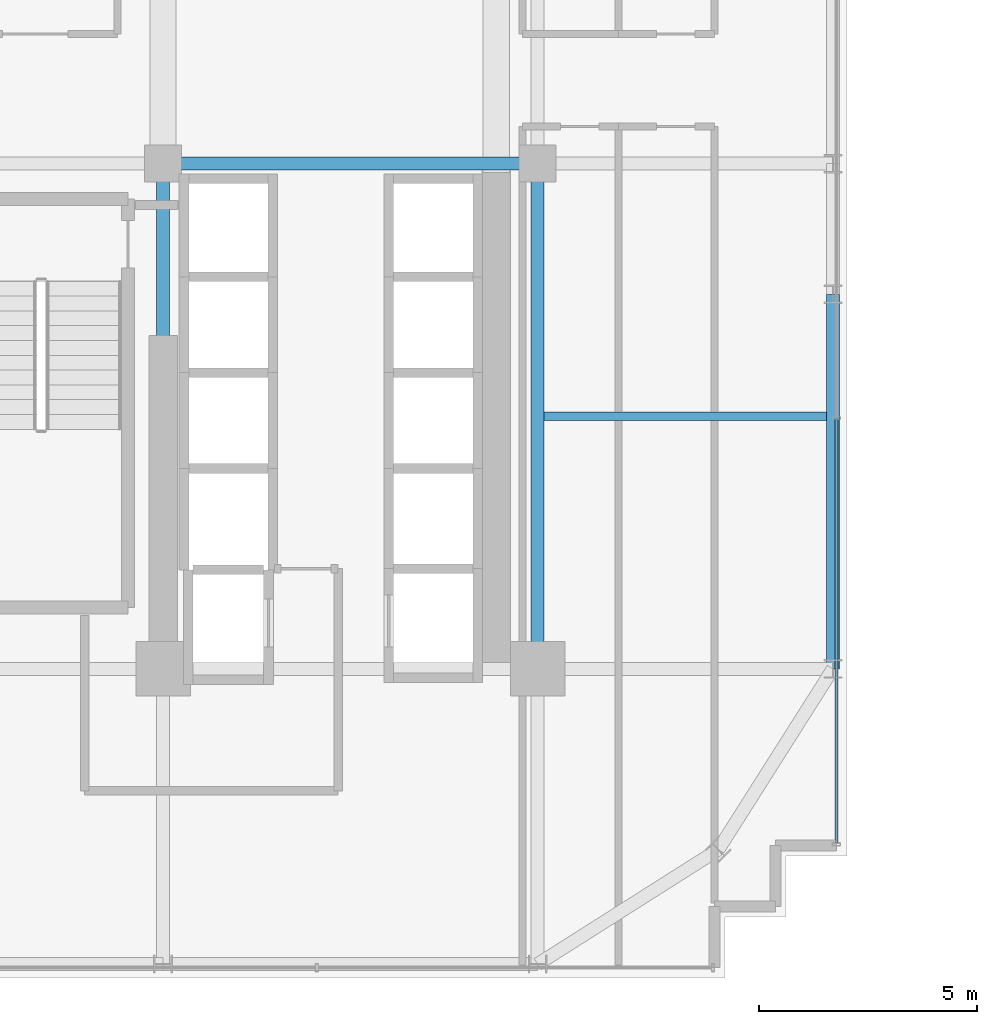
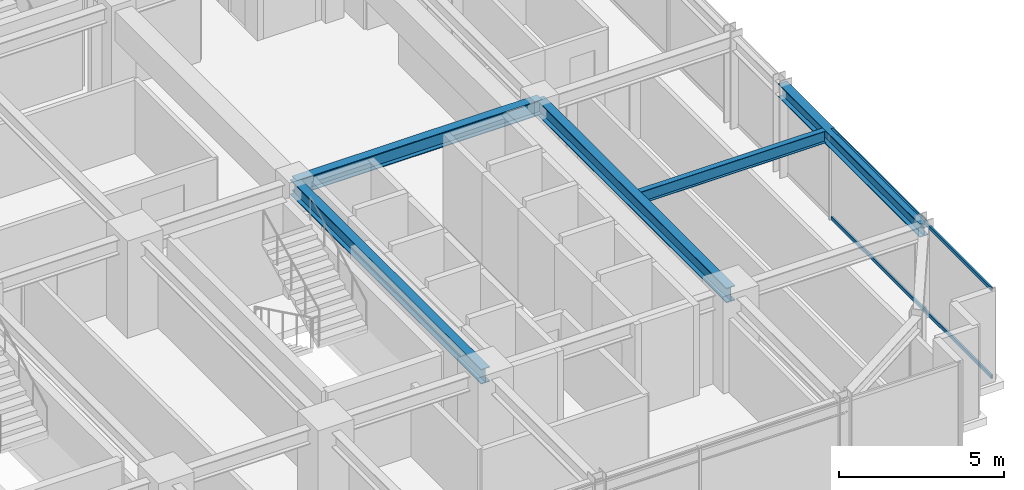
# One storey, part 13 of 33: 5 beams, 2 members, 1 element without a shape of its own.
"""IFC4 building model written with IfcOpenShell, lengths in metres."""

from ifc_helpers import new_model, si_unit, direction, frame, origin, origin_2d, place, context, subcontext, project, spatial, hollow_rectangle, i_section, extrude, source, transform, mapped, material, material_profile, profile_set, type_object, element, aggregate, save


model = new_model("IFC4")

# Units and contexts
model_context = context("Model", 3, precision=1e-05, world=origin(), true_north=direction((0.0, 1.0)))
body_context = subcontext(model_context, "Body", "Model", "MODEL_VIEW")
ifc_project = project(units=[si_unit("LENGTHUNIT", "METRE"), si_unit("AREAUNIT", "SQUARE_METRE"), si_unit("VOLUMEUNIT", "CUBIC_METRE"), si_unit("PLANEANGLEUNIT", "RADIAN"), si_unit("MASSUNIT", "GRAM", prefix="KILO")], contexts=[model_context])

# Site, building, storey
site_placement = place(None, origin())
site = spatial("IfcSite", under=ifc_project, at=site_placement, CompositionType="ELEMENT")
building_placement = place(site_placement, origin())
building = spatial("IfcBuilding", under=site, at=building_placement, Name="Nahalor Promenade Grand Hotel", CompositionType="ELEMENT")
storey_placement = place(building_placement, frame((0.0, 0.0, 117.5)))
storey = spatial("IfcBuildingStorey", under=building, at=storey_placement, Name="L29", CompositionType="ELEMENT", Elevation=117.5)

# Beams
ifc_material_1 = material(Name="Steel S355JR", Category="steel")
ifc_material_profile_1 = material_profile(ifc_material_1, i_section(OverallWidth=0.3, OverallDepth=0.5, WebThickness=0.0145, FlangeThickness=0.028, at=origin_2d()), Name="HEB 500")
ifc_profile_set_1 = profile_set([ifc_material_profile_1], Name="Steel S355JR")
beam_type_1 = type_object("IfcBeamType", Name="Beam-Spandrel-HEB500", PredefinedType="SPANDREL", material=ifc_profile_set_1)
shared_shape_1 = source(origin(), body_context, "Body", "SweptSolid", [
    extrude(i_section(OverallWidth=0.3, OverallDepth=0.5, WebThickness=0.0145, FlangeThickness=0.028, at=origin_2d()), origin(), (0.0, 0.0, 1.0), 8.60009765625),
])
beam_1_placement = place(storey_placement, frame((23.780029296875, -17.0, 3.1298828125), z_axis=(0.0, 1.0, 0.0), x_axis=(-1.0, 0.0, 0.0)))
element("IfcBeam", 1, at=beam_1_placement, inside=storey, type_object=beam_type_1, Name="BM-L29-SP-E-0", PredefinedType="SPANDREL", context=body_context, shape_type="MappedRepresentation", body=[
    mapped(shared_shape_1, transform((0.0, 0.0, 0.0), scale=1.0)),
])
ifc_material_profile_2 = material_profile(ifc_material_1, i_section(OverallWidth=0.3, OverallDepth=0.55, WebThickness=0.015, FlangeThickness=0.029, at=origin_2d()), Name="HEB 550")
ifc_profile_set_2 = profile_set([ifc_material_profile_2], Name="Steel S355JR")
beam_type_2 = type_object("IfcBeamType", Name="Beam-Girder-HEB550", PredefinedType="BEAM", material=ifc_profile_set_2)
shared_shape_2 = source(origin(), body_context, "Body", "SweptSolid", [
    extrude(i_section(OverallWidth=0.3, OverallDepth=0.55, WebThickness=0.015, FlangeThickness=0.029, at=origin_2d()), origin(), (0.0, 0.0, 1.0), 8.60009765625),
])
beam_2_placement = place(storey_placement, frame((8.39990234375, -5.39990234375, 3.10498046875), z_axis=(1.0, 0.0, 0.0), x_axis=(0.0, 1.0, 0.0)))
element("IfcBeam", 2, at=beam_2_placement, inside=storey, type_object=beam_type_2, Name="BM-L29-GX-1-5", PredefinedType="BEAM", context=body_context, shape_type="MappedRepresentation", body=[
    mapped(shared_shape_2, transform((0.0, 0.0, 0.0), scale=1.0)),
])
shared_shape_3 = source(origin(), body_context, "Body", "SweptSolid", [
    extrude(i_section(OverallWidth=0.3, OverallDepth=0.55, WebThickness=0.015, FlangeThickness=0.029, at=origin_2d()), origin(), (0.0, 0.0, 1.0), 11.60009765625),
])
for number, where, z_axis, x_axis, name in (
    (3, (8.39990234375, -17.0, 3.10498046875), (0.0, 1.0, 0.0), (-1.0, 0.0, 0.0), "BM-L29-GY-4-1"),
    (4, (17.0, -17.0, 3.10498046875), (0.0, 1.0, 0.0), (-1.0, 0.0, 0.0), "BM-L29-GY-5-1"),
):
    element("IfcBeam", number, at=place(storey_placement, frame(where, z_axis=z_axis, x_axis=x_axis)), inside=storey, type_object=beam_type_2, Name=name, PredefinedType="BEAM", context=body_context, shape_type="MappedRepresentation", body=[
        mapped(shared_shape_3, transform((0.0, 0.0, 0.0), scale=1.0)),
    ])
ifc_material_profile_3 = material_profile(ifc_material_1, i_section(OverallWidth=0.19, OverallDepth=0.45, WebThickness=0.0094, FlangeThickness=0.0146, at=origin_2d()), Name="IPE 450")
ifc_profile_set_3 = profile_set([ifc_material_profile_3], Name="Steel S355JR")
beam_type_3 = type_object("IfcBeamType", Name="Beam-Joist-IPE450", PredefinedType="JOIST", material=ifc_profile_set_3)
shared_shape_4 = source(origin(), body_context, "Body", "SweptSolid", [
    extrude(i_section(OverallWidth=0.19, OverallDepth=0.45, WebThickness=0.0094, FlangeThickness=0.0146, at=origin_2d()), origin(), (0.0, 0.0, 1.0), 6.47998046875),
])
beam_3_placement = place(storey_placement, frame((17.14990234375, -11.199951171875, 3.155029296875), z_axis=(1.0, 0.0, 0.0), x_axis=(0.0, 1.0, 0.0)))
element("IfcBeam", 5, at=beam_3_placement, inside=storey, type_object=beam_type_3, Name="BM-L29-JSE-0-2", PredefinedType="JOIST", context=body_context, shape_type="MappedRepresentation", body=[
    mapped(shared_shape_4, transform((0.0, 0.0, 0.0), scale=1.0)),
])

# Curtain wall, members
ifc_material_2 = material(Name="Anodised Bronze Aluminium EN AW-6063 T6", Category="aluminium")
curtain_wall_type = type_object("IfcCurtainWallType", Name="CW2 Typical Hotel Flush Bronze Unitised Curtain Wall", PredefinedType="USERDEFINED", material=ifc_material_2)
curtain_wall_placement = place(storey_placement, origin())
curtain_wall = element("IfcCurtainWall", 6, at=curtain_wall_placement, inside=storey, type_object=curtain_wall_type, Name="L29 Curtain Wall CW-L29-E-1", ObjectType="UNITISED_CURTAIN_WALL", PredefinedType="USERDEFINED")
ifc_material_profile_4 = material_profile(ifc_material_2, hollow_rectangle(XDim=0.065, YDim=0.13, WallThickness=0.004, at=origin_2d()), Name="CWT 65x130x4")
ifc_profile_set_4 = profile_set([ifc_material_profile_4], Name="Anodised Bronze Aluminium EN AW-6063 T6")
member_type = type_object("IfcMemberType", Name="CWT2 Typical Bronze Transom 65x130", PredefinedType="USERDEFINED", material=ifc_profile_set_4)
shared_shape_5 = source(origin(), body_context, "Body", "SweptSolid", [
    extrude(hollow_rectangle(XDim=0.065, YDim=0.13, WallThickness=0.004, at=origin_2d()), origin(), (0.0, 0.0, 1.0), 9.72265625),
])
member_1_placement = place(storey_placement, frame((23.860107421875, -20.9951171875, 0.06494140625), z_axis=(0.0, 1.0, 0.0), x_axis=(-1.0, 0.0, 0.0)))
member_1 = element("IfcMember", 7, at=member_1_placement, type_object=member_type, Name="CW-L29-E-1 Transom 0-0", ObjectType="TRANSOM", PredefinedType="USERDEFINED", context=body_context, shape_type="MappedRepresentation", body=[
    mapped(shared_shape_5, transform((0.0, 0.0, 0.0), scale=1.0)),
])
member_2_placement = place(storey_placement, frame((23.860107421875, -20.9951171875, 3.31494140625), z_axis=(0.0, 1.0, 0.0), x_axis=(-1.0, 0.0, 0.0)))
member_2 = element("IfcMember", 8, at=member_2_placement, type_object=member_type, Name="CW-L29-E-1 Transom 0-1", ObjectType="TRANSOM", PredefinedType="USERDEFINED", context=body_context, shape_type="MappedRepresentation", body=[
    mapped(shared_shape_5, transform((0.0, 0.0, 0.0), scale=1.0)),
])
aggregate(curtain_wall, [member_1, member_2])

save(model, "model.ifc")
